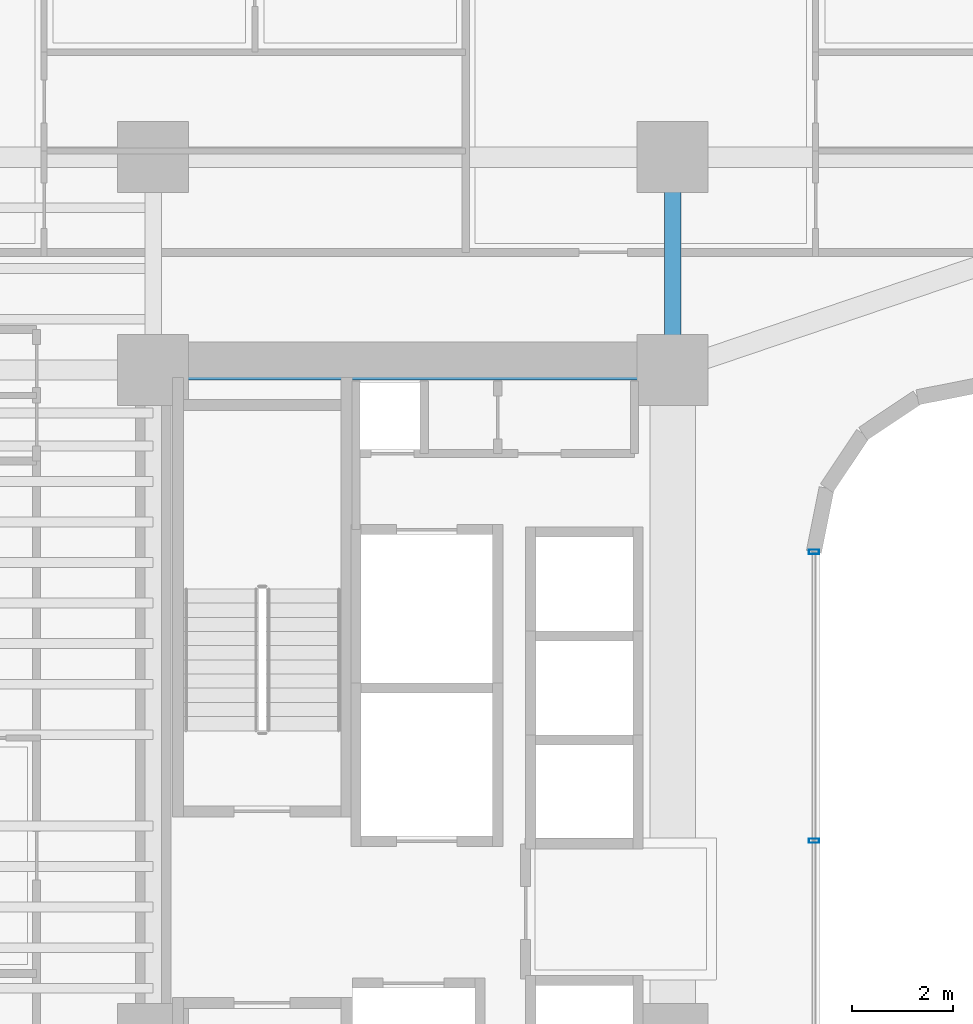
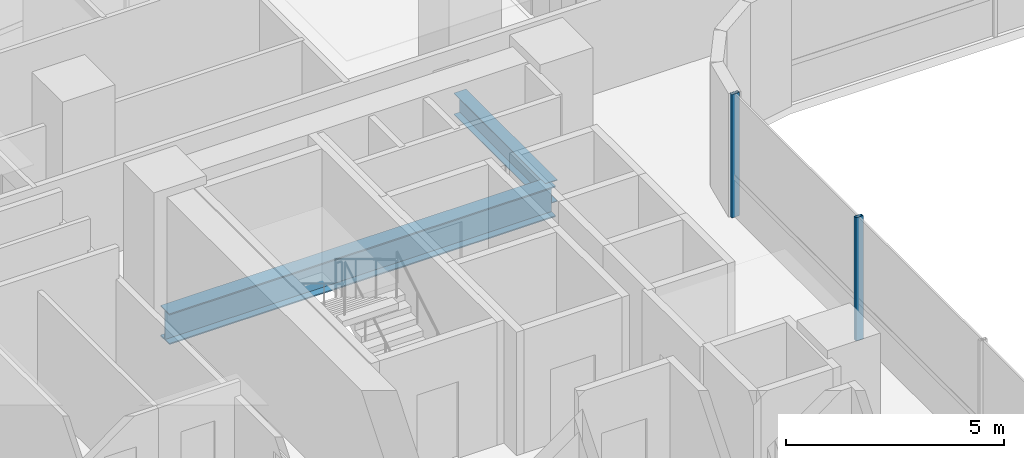
# One storey, part 10 of 40: 2 beams, 2 members, 1 element without a shape of its own.
"""IFC4 building model written with IfcOpenShell, lengths in metres."""

import ifcopenshell
import ifcopenshell.guid

model = None  # the IFC model being written
_history = None  # IfcOwnerHistory: only IFC2X3 demands one
_inside = {}  # id of a spatial element -> (the spatial element, [elements in it])
_under = {}  # id of a project, library or spatial element -> (it, [spatial elements below it])
_declared = {}  # id of a project -> (the project, [libraries it declares])
_typed = {}  # id of a type object -> (the type object, [elements of that type])
_made_of = {}  # id of a material, layer set ... -> (it, [elements and type objects made of it])


def new_model(schema):
    """Start an empty IFC model of exactly this schema.

    Asked for "IFC4X3", IfcOpenShell would pick the latest addendum, in which some entities
    have other attributes; the version numbers below select the first issue.
    IFC2X3 requires an IfcOwnerHistory on every rooted entity: one is made here for all.
    """
    global model, _history
    if schema == "IFC4X3":
        model = ifcopenshell.file(schema_version=(4, 3, 0, 0))
    else:
        model = ifcopenshell.file(schema=schema)
    _inside.clear()
    _under.clear()
    _declared.clear()
    _typed.clear()
    _made_of.clear()
    _history = None
    if model.schema == "IFC2X3":
        org = make("IfcOrganization", Name="unknown")
        user = make(
            "IfcPersonAndOrganization",
            ThePerson=make("IfcPerson", FamilyName="unknown"),
            TheOrganization=org,
        )
        app = make(
            "IfcApplication",
            ApplicationDeveloper=org,
            Version="unknown",
            ApplicationFullName="unknown",
            ApplicationIdentifier="unknown",
        )
        _history = make(
            "IfcOwnerHistory",
            OwningUser=user,
            OwningApplication=app,
            ChangeAction="ADDED",
            CreationDate=0,
        )
    return model


def make(cls, **values):
    """One entity of the class cls with the attributes given. An attribute that is None is left unset."""
    return model.create_entity(
        cls, **{name: value for name, value in values.items() if value is not None}
    )


def rooted(cls, **values):
    """An entity with a GlobalId (a new one), such as an element, a storey or a relation."""
    return make(cls, GlobalId=ifcopenshell.guid.new(), OwnerHistory=_history, **values)


def si_unit(unit_type, name, prefix=None):
    """IfcSIUnit, for example si_unit("LENGTHUNIT", "METRE", prefix="MILLI")."""
    return make("IfcSIUnit", UnitType=unit_type, Prefix=prefix, Name=name)


def assignment(units):
    """IfcUnitAssignment: the units of a project."""
    return None if units is None else make("IfcUnitAssignment", Units=units)


def point(xyz):
    """IfcCartesianPoint."""
    return None if xyz is None else make("IfcCartesianPoint", Coordinates=xyz)


def direction(xyz):
    """IfcDirection."""
    return None if xyz is None else make("IfcDirection", DirectionRatios=xyz)


def frame(location, z_axis=None, x_axis=None):
    """IfcAxis2Placement3D, a coordinate frame: its origin and axes. An axis left out is left unset."""
    return make(
        "IfcAxis2Placement3D",
        Location=point(location),
        Axis=direction(z_axis),
        RefDirection=direction(x_axis),
    )


def frame_2d(location, x_axis=None):
    """IfcAxis2Placement2D, a coordinate frame in the plane: its origin and x axis."""
    return make(
        "IfcAxis2Placement2D", Location=point(location), RefDirection=direction(x_axis)
    )


def origin():
    """The frame at (0, 0, 0) with its axes left unset."""
    return frame((0.0, 0.0, 0.0))


def origin_2d():
    """The frame at (0, 0) in the plane with its x axis left unset."""
    return frame_2d((0.0, 0.0))


def place(relative_to, where):
    """IfcLocalPlacement: puts the frame where relative to a parent placement (None: the world)."""
    return make(
        "IfcLocalPlacement", PlacementRelTo=relative_to, RelativePlacement=where
    )


def context(
    kind, dimensions, precision=None, world=None, true_north=None, identifier=None
):
    """IfcGeometricRepresentationContext, for example the 3D "Model" context."""
    return make(
        "IfcGeometricRepresentationContext",
        ContextIdentifier=identifier,
        ContextType=kind,
        CoordinateSpaceDimension=dimensions,
        Precision=precision,
        WorldCoordinateSystem=world,
        TrueNorth=true_north,
    )


def subcontext(parent, identifier, kind, view, scale=None):
    """IfcGeometricRepresentationSubContext, for example "Body" below "Model"."""
    return make(
        "IfcGeometricRepresentationSubContext",
        ContextIdentifier=identifier,
        ContextType=kind,
        ParentContext=parent,
        TargetScale=scale,
        TargetView=view,
    )


def project(units=None, contexts=None):
    """IfcProject with its units and contexts."""
    return rooted(
        "IfcProject",
        Name="project",
        RepresentationContexts=contexts,
        UnitsInContext=assignment(units),
    )


def spatial(cls, under=None, at=None, **own):
    """A site, building, storey or space (cls), placed at a placement, below another one or the project."""
    s = rooted(cls, ObjectPlacement=at, **own)
    if under is not None:
        _under.setdefault(under.id(), (under, []))[1].append(s)
    return s


def profile(cls, at=None, kind="AREA", **sizes):
    """A parametric profile (cls). Its sizes go by their IFC names, for example OverallWidth=200.0."""
    return make(cls, ProfileType=kind, Position=at, **sizes)


def hollow_rectangle(**sizes):
    """IfcRectangleHollowProfileDef."""
    return profile("IfcRectangleHollowProfileDef", **sizes)


def i_section(**sizes):
    """IfcIShapeProfileDef."""
    return profile("IfcIShapeProfileDef", **sizes)


def extrude(swept, where, along, depth):
    """IfcExtrudedAreaSolid: the profile swept, set in the frame where, extruded along a direction by depth."""
    return make(
        "IfcExtrudedAreaSolid",
        SweptArea=swept,
        Position=where,
        ExtrudedDirection=direction(along),
        Depth=depth,
    )


def shape(context_of_items, identifier, shape_type, items):
    """IfcShapeRepresentation: the items that make up one representation, for example the "Body"."""
    return make(
        "IfcShapeRepresentation",
        ContextOfItems=context_of_items,
        RepresentationIdentifier=identifier,
        RepresentationType=shape_type,
        Items=items,
    )


def source(mapping_origin, context_of_items, identifier, shape_type, items):
    """IfcRepresentationMap: a shape defined once, which mapped items show again and again."""
    return make(
        "IfcRepresentationMap",
        MappingOrigin=mapping_origin,
        MappedRepresentation=shape(context_of_items, identifier, shape_type, items),
    )


def transform(
    local_origin,
    x_axis=None,
    y_axis=None,
    z_axis=None,
    scale=None,
    scale2=None,
    scale3=None,
    uniform=True,
):
    """IfcCartesianTransformationOperator3D, or its non-uniform kind. x_axis, y_axis, z_axis: its Axis1, 2, 3."""
    if uniform:
        return make(
            "IfcCartesianTransformationOperator3D",
            Axis1=direction(x_axis),
            Axis2=direction(y_axis),
            LocalOrigin=point(local_origin),
            Scale=scale,
            Axis3=direction(z_axis),
        )
    return make(
        "IfcCartesianTransformationOperator3DnonUniform",
        Axis1=direction(x_axis),
        Axis2=direction(y_axis),
        LocalOrigin=point(local_origin),
        Scale=scale,
        Axis3=direction(z_axis),
        Scale2=scale2,
        Scale3=scale3,
    )


def mapped(mapping_source, mapping_target):
    """IfcMappedItem: shows the shape of a source again, moved by a transform."""
    return make(
        "IfcMappedItem", MappingSource=mapping_source, MappingTarget=mapping_target
    )


def material(Name=None, Category=None):
    """IfcMaterial."""
    return make("IfcMaterial", Name=Name, Category=Category)


def material_profile(
    of_material, cross_section, Name=None, Category=None, Priority=None
):
    """IfcMaterialProfile: a cross section and its material."""
    return make(
        "IfcMaterialProfile",
        Name=Name,
        Material=of_material,
        Profile=cross_section,
        Priority=Priority,
        Category=Category,
    )


def profile_set(profiles, Name=None, composite=None):
    """IfcMaterialProfileSet."""
    return make(
        "IfcMaterialProfileSet",
        Name=Name,
        MaterialProfiles=profiles,
        CompositeProfile=composite,
    )


def made_of(thing, what):
    """Note that an element or type object is made of a material, layer set ...; save() writes the relation."""
    if what is not None:
        _made_of.setdefault(what.id(), (what, []))[1].append(thing)
    return thing


def type_object(cls, material=None, **own):
    """A type object (cls), such as IfcWallType, which elements share."""
    return made_of(rooted(cls, **own), material)


def element(
    cls,
    number,
    at=None,
    inside=None,
    cuts=None,
    type_object=None,
    material=None,
    context=None,
    identifier="Body",
    shape_type=None,
    held_by="IfcProductDefinitionShape",
    body=None,
    shapes=None,
    **own,
):
    """One element of the class cls, such as IfcWall. Its Tag is "e" and its number.

    at: its placement. inside: the storey or other place that contains it. cuts: it is an
    opening in that element (IfcRelVoidsElement). A single representation is given by context,
    identifier, shape_type and body (its items); several are given by shapes. held_by: the class
    of the entity that holds the representations. save() writes the other relations.
    """
    e = rooted(cls, Tag="e%d" % number, ObjectPlacement=at, **own)
    if body is not None:
        shapes = [shape(context, identifier, shape_type, body)]
    if shapes is not None:
        e.Representation = make(held_by, Representations=shapes)
    if inside is not None:
        _inside.setdefault(inside.id(), (inside, []))[1].append(e)
    if cuts is not None:
        rooted(
            "IfcRelVoidsElement", RelatingBuildingElement=cuts, RelatedOpeningElement=e
        )
    if type_object is not None:
        _typed.setdefault(type_object.id(), (type_object, []))[1].append(e)
    return made_of(e, material)


def aggregate(whole, parts):
    """IfcRelAggregates: a whole, such as a stair, and the parts it consists of."""
    return rooted("IfcRelAggregates", RelatingObject=whole, RelatedObjects=parts)


def save(model, path):
    """Write the relations noted so far, then the file.

    IfcRelAggregates (storeys below a building ...), IfcRelContainedInSpatialStructure (elements
    in a storey), IfcRelDefinesByType, IfcRelAssociatesMaterial and IfcRelDeclares: one each for
    every whole, place, type object, material and project.
    """
    for whole, parts in _under.values():
        aggregate(whole, parts)
    for where, things in _inside.values():
        rooted(
            "IfcRelContainedInSpatialStructure",
            RelatedElements=things,
            RelatingStructure=where,
        )
    for kind, things in _typed.values():
        rooted("IfcRelDefinesByType", RelatedObjects=things, RelatingType=kind)
    for what, things in _made_of.values():
        rooted("IfcRelAssociatesMaterial", RelatedObjects=things, RelatingMaterial=what)
    for by, libraries in _declared.values():
        rooted("IfcRelDeclares", RelatingContext=by, RelatedDefinitions=libraries)
    model.write(path)


model = new_model("IFC4")

# Units and contexts
model_context = context("Model", 3, precision=1e-05, world=origin(), true_north=direction((0.0, 1.0)))
body_context = subcontext(model_context, "Body", "Model", "MODEL_VIEW")
ifc_project = project(units=[si_unit("LENGTHUNIT", "METRE"), si_unit("AREAUNIT", "SQUARE_METRE"), si_unit("VOLUMEUNIT", "CUBIC_METRE"), si_unit("PLANEANGLEUNIT", "RADIAN"), si_unit("MASSUNIT", "GRAM", prefix="KILO")], contexts=[model_context])

# Site, building, storey
site_placement = place(None, origin())
site = spatial("IfcSite", under=ifc_project, at=site_placement, CompositionType="ELEMENT")
building_placement = place(site_placement, origin())
building = spatial("IfcBuilding", under=site, at=building_placement, Name="Valdorenza Pilgrim Sanctuary Tower", CompositionType="ELEMENT")
storey_placement = place(building_placement, frame((0.0, 0.0, 44.5)))
storey = spatial("IfcBuildingStorey", under=building, at=storey_placement, Name="L10", CompositionType="ELEMENT", Elevation=44.5)

# Beams
ifc_material_1 = material(Name="Steel ASTM A992 Grade 50", Category="steel")
ifc_material_profile_1 = material_profile(ifc_material_1, i_section(OverallWidth=0.323974609375, OverallDepth=0.611083984375, WebThickness=0.0126953125, FlangeThickness=0.01904296875, at=origin_2d()), Name="W24X104")
ifc_profile_set_1 = profile_set([ifc_material_profile_1], Name="Steel ASTM A992 Grade 50")
beam_type_1 = type_object("IfcBeamType", Name="STR-BM-GRD-W24B", PredefinedType="BEAM", material=ifc_profile_set_1)
shared_shape_1 = source(origin(), body_context, "Body", "SweptSolid", [
    extrude(i_section(OverallWidth=0.323974609375, OverallDepth=0.611083984375, WebThickness=0.0126953125, FlangeThickness=0.01904296875, at=origin_2d()), origin(), (0.0, 0.0, 1.0), 4.199951171875),
])
beam_1_placement = place(storey_placement, frame((-12.39990234375, 10.60009765625, -0.54541015625), z_axis=(0.0, 1.0, 0.0), x_axis=(-1.0, 0.0, 0.0)))
element("IfcBeam", 1, at=beam_1_placement, inside=storey, type_object=beam_type_1, Name="L10 Core Tie Girder CA-E-N1N2", PredefinedType="BEAM", context=body_context, shape_type="MappedRepresentation", body=[
    mapped(shared_shape_1, transform((0.0, 0.0, 0.0), x_axis=(1.0, 0.0, 0.0), y_axis=(0.0, 1.0, 0.0), z_axis=(0.0, 0.0, 1.0), scale=1.0)),
])
ifc_material_profile_2 = material_profile(ifc_material_1, i_section(OverallWidth=0.39990234375, OverallDepth=0.862060546875, WebThickness=0.019775390625, FlangeThickness=0.032470703125, at=origin_2d()), Name="W33X221")
ifc_profile_set_2 = profile_set([ifc_material_profile_2], Name="Steel ASTM A992 Grade 50")
beam_type_2 = type_object("IfcBeamType", Name="STR-BM-GRD-W33", PredefinedType="BEAM", material=ifc_profile_set_2)
shared_shape_2 = source(origin(), body_context, "Body", "SweptSolid", [
    extrude(i_section(OverallWidth=0.39990234375, OverallDepth=0.862060546875, WebThickness=0.019775390625, FlangeThickness=0.032470703125, at=origin_2d()), origin(), (0.0, 0.0, 1.0), 10.25),
])
beam_2_placement = place(storey_placement, frame((-22.64990234375, 10.60009765625, -0.6708984375), z_axis=(1.0, 0.0, 0.0), x_axis=(0.0, 1.0, 0.0)))
element("IfcBeam", 2, at=beam_2_placement, inside=storey, type_object=beam_type_2, Name="L10 Floor Girder CA-XC-N1", PredefinedType="BEAM", context=body_context, shape_type="MappedRepresentation", body=[
    mapped(shared_shape_2, transform((0.0, 0.0, 0.0), x_axis=(1.0, 0.0, 0.0), y_axis=(0.0, 1.0, 0.0), z_axis=(0.0, 0.0, 1.0), scale=1.0)),
])

# Curtain wall, members
ifc_material_2 = material(Name="Curtain-wall IGU glazing", Category="glass")
curtain_wall_type = type_object("IfcCurtainWallType", Name="CW-SYS-02", PredefinedType="NOTDEFINED", material=ifc_material_2)
curtain_wall_placement = place(storey_placement, origin())
curtain_wall = element("IfcCurtainWall", 3, at=curtain_wall_placement, inside=storey, type_object=curtain_wall_type, Name="L10 Curtain Wall CW-L10-1-41", PredefinedType="NOTDEFINED")
ifc_material_3 = material(Name="Anodised aluminium AW-6060", Category="aluminium")
ifc_material_profile_3 = material_profile(ifc_material_3, hollow_rectangle(XDim=0.0849609375, YDim=0.199951171875, WallThickness=0.0048828125, at=origin_2d()), Name="ALU-M 200x85x5")
ifc_profile_set_3 = profile_set([ifc_material_profile_3], Name="Anodised aluminium AW-6060")
member_type = type_object("IfcMemberType", Name="CW-MUL-02", PredefinedType="MULLION", material=ifc_profile_set_3)
shared_shape_3 = source(origin(), body_context, "Body", "SweptSolid", [
    extrude(hollow_rectangle(XDim=0.0849609375, YDim=0.199951171875, WallThickness=0.0048828125, at=origin_2d()), origin(), (0.0, 0.0, 1.0), 3.4599609375),
])
member_1_placement = place(storey_placement, frame((-9.610107421875, 7.0107421875, 0.0), z_axis=(0.0, 0.0, 1.0), x_axis=(0.0, -1.0, 0.0)))
member_1 = element("IfcMember", 4, at=member_1_placement, type_object=member_type, Name="CW-L10-1-41 Mullion 1", PredefinedType="MULLION", context=body_context, shape_type="MappedRepresentation", body=[
    mapped(shared_shape_3, transform((0.0, 0.0, 0.0), x_axis=(1.0, 0.0, 0.0), y_axis=(0.0, 1.0, 0.0), z_axis=(0.0, 0.0, 1.0), scale=1.0)),
])
member_2_placement = place(storey_placement, frame((-9.610107421875, 1.310791015625, 0.0), z_axis=(0.0, 0.0, 1.0), x_axis=(0.0, -1.0, 0.0)))
member_2 = element("IfcMember", 5, at=member_2_placement, type_object=member_type, Name="CW-L10-1-41 Mullion 2", PredefinedType="MULLION", context=body_context, shape_type="MappedRepresentation", body=[
    mapped(shared_shape_3, transform((0.0, 0.0, 0.0), x_axis=(1.0, 0.0, 0.0), y_axis=(0.0, 1.0, 0.0), z_axis=(0.0, 0.0, 1.0), scale=1.0)),
])
aggregate(curtain_wall, [member_1, member_2])

save(model, "model.ifc")
